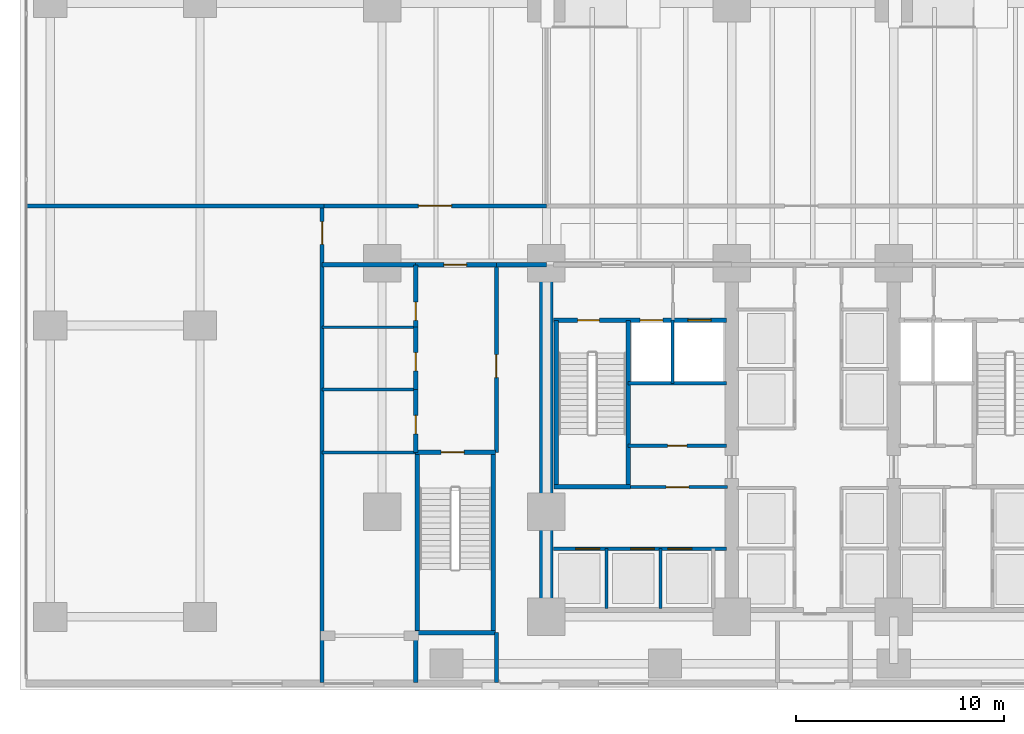
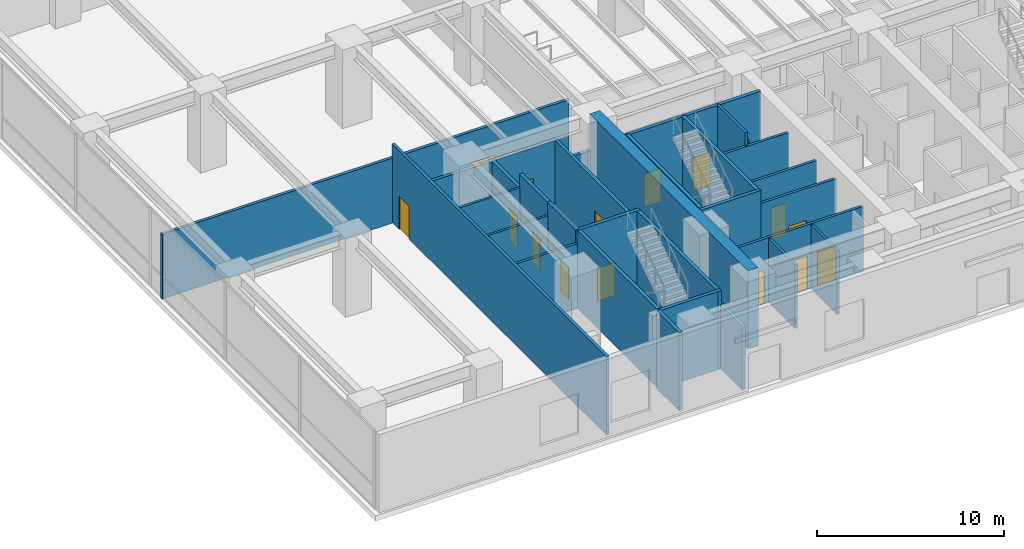
# One storey, part 9 of 19: 31 walls, 16 doors, 16 openings.
"""IFC4 building model written with IfcOpenShell, lengths in metres."""

from ifc_helpers import new_model, si_unit, direction, frame, frame_2d, origin, place, context, subcontext, project, spatial, rectangle, extrude, material, layer, layer_set, type_object, element, fill, save


model = new_model("IFC4")

# Units and contexts
model_context = context("Model", 3, precision=1e-05, world=origin(), true_north=direction((0.0, 1.0)))
body_context = subcontext(model_context, "Body", "Model", "MODEL_VIEW")
ifc_project = project(units=[si_unit("LENGTHUNIT", "METRE"), si_unit("AREAUNIT", "SQUARE_METRE"), si_unit("VOLUMEUNIT", "CUBIC_METRE"), si_unit("PLANEANGLEUNIT", "RADIAN"), si_unit("MASSUNIT", "GRAM", prefix="KILO")], contexts=[model_context])

# Site, building, storey
site_placement = place(None, origin())
site = spatial("IfcSite", under=ifc_project, at=site_placement, CompositionType="ELEMENT")
building_placement = place(site_placement, origin())
building = spatial("IfcBuilding", under=site, at=building_placement, Name="Qalmaran Belvedere Hotel", CompositionType="ELEMENT")
storey_placement = place(building_placement, origin())
storey = spatial("IfcBuildingStorey", under=building, at=storey_placement, Name="L00", CompositionType="ELEMENT", Elevation=0.0)

# Walls
ifc_material_1 = material(Name="Concrete C60/75", Category="concrete")
ifc_layer_1 = layer(ifc_material_1, 0.64990234375, Name="Concrete C60/75")
ifc_layer_set_1 = layer_set([ifc_layer_1], Name="Concrete C60/75")
wall_type_1 = type_object("IfcWallType", Name="WL-CORE-650-C60", PredefinedType="SHEAR", material=ifc_layer_set_1)
wall_1_placement = place(storey_placement, frame((20.300048828125, 3.5, 0.0), z_axis=(0.0, 0.0, 1.0), x_axis=(0.0, 1.0, 0.0)))
element("IfcWall", 1, at=wall_1_placement, inside=storey, type_object=wall_type_1, Name="L00 West Core Shear Wall", PredefinedType="SHEAR", context=body_context, shape_type="SweptSolid", body=[
    extrude(rectangle(XDim=16.89990234375, YDim=0.64990234375, at=frame_2d((8.449951171875, 0.0))), origin(), (0.0, 0.0, 1.0), 5.10009765625),
])
ifc_material_2 = material(Name="Gypsum Stud Partition")
ifc_layer_2 = layer(ifc_material_2, 0.139892578125, Name="Gypsum Stud Partition")
ifc_layer_set_2 = layer_set([ifc_layer_2], Name="Gypsum Stud Partition")
wall_type_2 = type_object("IfcWallType", Name="WL-INT-140-NR", PredefinedType="PARTITIONING", material=ifc_layer_set_2)
for number, where, z_axis, x_axis, name in (
    (2, (9.52001953125, 14.419921875, 0.0), (0.0, 0.0, 1.0), (1.0, 0.0, 0.0), "L00 Partition WL-L00-WC1"),
    (3, (9.52001953125, 17.419921875, 0.0), (0.0, 0.0, 1.0), (1.0, 0.0, 0.0), "L00 Partition WL-L00-WC2"),
):
    element("IfcWall", number, at=place(storey_placement, frame(where, z_axis=z_axis, x_axis=x_axis)), inside=storey, type_object=wall_type_2, Name=name, PredefinedType="PARTITIONING", context=body_context, shape_type="SweptSolid", body=[
        extrude(rectangle(XDim=4.5, YDim=0.139892578125, at=frame_2d((2.25, 0.0))), origin(), (0.0, 0.0, 1.0), 4.22998046875),
    ])
ifc_layer_3 = layer(ifc_material_2, 0.14990234375, Name="Gypsum Stud Partition")
ifc_layer_set_3 = layer_set([ifc_layer_3], Name="Gypsum Stud Partition")
wall_type_3 = type_object("IfcWallType", Name="WL-INT-150-EI120", PredefinedType="PARTITIONING", material=ifc_layer_set_3)
wall_2_placement = place(storey_placement, frame((26.360107421875, 14.719970703125, 0.0), z_axis=(0.0, 0.0, 1.0), x_axis=(0.0, 1.0, 0.0)))
element("IfcWall", 4, at=wall_2_placement, inside=storey, type_object=wall_type_3, Name="L00 Partition WL-FF1M-L00", PredefinedType="PARTITIONING", context=body_context, shape_type="SweptSolid", body=[
    extrude(rectangle(XDim=3.0400390625, YDim=0.14990234375, at=frame_2d((1.52001953125, 0.0))), origin(), (0.0, 0.0, 1.0), 5.10009765625),
])
for number, where, z_axis, x_axis, name in (
    (5, (23.179931640625, 3.89990234375, 0.0), (0.0, 0.0, 1.0), (0.0, 1.0, 0.0), "L00 Partition WL-POM1-L00"),
    (6, (25.780029296875, 3.89990234375, 0.0), (0.0, 0.0, 1.0), (0.0, 1.0, 0.0), "L00 Partition WL-POM2-L00"),
):
    element("IfcWall", number, at=place(storey_placement, frame(where, z_axis=z_axis, x_axis=x_axis)), inside=storey, type_object=wall_type_3, Name=name, PredefinedType="PARTITIONING", context=body_context, shape_type="SweptSolid", body=[
        extrude(rectangle(XDim=2.880126953125, YDim=0.14990234375, at=frame_2d((1.43994140625, 0.0))), origin(), (0.0, 0.0, 1.0), 4.1640625),
    ])
ifc_layer_4 = layer(ifc_material_2, 0.159912109375, Name="Gypsum Stud Partition")
ifc_layer_set_4 = layer_set([ifc_layer_4], Name="Gypsum Stud Partition")
wall_type_4 = type_object("IfcWallType", Name="WL-INT-160-EI120", PredefinedType="PARTITIONING", material=ifc_layer_set_4)
wall_3_placement = place(storey_placement, frame((24.219970703125, 14.719970703125, 0.0), z_axis=(0.0, 0.0, 1.0), x_axis=(1.0, 0.0, 0.0)))
element("IfcWall", 7, at=wall_3_placement, inside=storey, type_object=wall_type_4, Name="L00 Partition WL-FF1S-L00", PredefinedType="PARTITIONING", context=body_context, shape_type="SweptSolid", body=[
    extrude(rectangle(XDim=4.72998046875, YDim=0.159912109375, at=frame_2d((2.364990234375, 0.0))), origin(), (0.0, 0.0, 1.0), 4.22998046875),
])

# Wall, openings, doors
wall_4_placement = place(storey_placement, frame((20.64990234375, 6.780029296875, 0.0), z_axis=(0.0, 0.0, 1.0), x_axis=(1.0, 0.0, 0.0)))
wall_4 = element("IfcWall", 8, at=wall_4_placement, inside=storey, type_object=wall_type_4, Name="L00 Partition WL-POS-L00", PredefinedType="PARTITIONING", context=body_context, shape_type="SweptSolid", body=[
    extrude(rectangle(XDim=8.300048828125, YDim=0.159912109375, at=frame_2d((4.14990234375, 0.0))), origin(), (0.0, 0.0, 1.0), 4.22998046875),
])
opening_1_placement = place(wall_4_placement, frame((3.69482421875, 0.0, 0.0)))
opening_1 = element("IfcOpeningElement", 9, at=opening_1_placement, cuts=wall_4, Name="Opening LD-PO", PredefinedType="OPENING", context=body_context, shape_type="SweptSolid", body=[
    extrude(rectangle(XDim=1.14990234375, YDim=2.199951171875, at=frame_2d((0.574951171875, 1.10009765625))), frame((0.0, 0.08984375, 0.0), z_axis=(0.0, -1.0, 0.0), x_axis=(1.0, 0.0, 0.0)), (0.0, 0.0, 1.0), 0.179931640625),
])
opening_2_placement = place(wall_4_placement, frame((5.4921875, 0.0, 0.0)))
opening_2 = element("IfcOpeningElement", 10, at=opening_2_placement, cuts=wall_4, Name="Opening LD-PO", PredefinedType="OPENING", context=body_context, shape_type="SweptSolid", body=[
    extrude(rectangle(XDim=1.14990234375, YDim=2.199951171875, at=frame_2d((0.574951171875, 1.10009765625))), frame((0.0, 0.08984375, 0.0), z_axis=(0.0, -1.0, 0.0), x_axis=(1.0, 0.0, 0.0)), (0.0, 0.0, 1.0), 0.179931640625),
])
opening_3_placement = place(wall_4_placement, frame((1.058837890625, 0.0, 0.0)))
opening_3 = element("IfcOpeningElement", 11, at=opening_3_placement, cuts=wall_4, Name="Opening LD-PO", PredefinedType="OPENING", context=body_context, shape_type="SweptSolid", body=[
    extrude(rectangle(XDim=1.14990234375, YDim=2.199951171875, at=frame_2d((0.574951171875, 1.10009765625))), frame((0.0, 0.08984375, 0.0), z_axis=(0.0, -1.0, 0.0), x_axis=(1.0, 0.0, 0.0)), (0.0, 0.0, 1.0), 0.179931640625),
])
ifc_material_3 = material(Name="Anodised Bronze Aluminium", Category="aluminium")
door_type_1 = type_object("IfcDoorType", Name="DR-LIFT-PO-1150X2200", OperationType="DOUBLE_DOOR_SLIDING", PredefinedType="DOOR", material=ifc_material_3)
door_1_placement = place(opening_1_placement, origin())
door_1 = element("IfcDoor", 12, at=door_1_placement, inside=storey, type_object=door_type_1, Name="L00 PO1 Shuttle Landing Door", OperationType="DOUBLE_DOOR_SLIDING", OverallHeight=2.199951171875, OverallWidth=1.14990234375, PredefinedType="DOOR", context=body_context, shape_type="SweptSolid", body=[
    extrude(rectangle(XDim=1.14990234375, YDim=2.199951171875, at=frame_2d((0.574951171875, 1.10009765625))), frame((0.0, 0.02490234375, 0.0), z_axis=(0.0, -1.0, 0.0), x_axis=(1.0, 0.0, 0.0)), (0.0, 0.0, 1.0), 0.050048828125),
])
fill(opening_1, door_1)
door_2_placement = place(opening_2_placement, origin())
door_2 = element("IfcDoor", 13, at=door_2_placement, inside=storey, type_object=door_type_1, Name="L00 PO2 Shuttle Landing Door", OperationType="DOUBLE_DOOR_SLIDING", OverallHeight=2.199951171875, OverallWidth=1.14990234375, PredefinedType="DOOR", context=body_context, shape_type="SweptSolid", body=[
    extrude(rectangle(XDim=1.14990234375, YDim=2.199951171875, at=frame_2d((0.574951171875, 1.10009765625))), frame((0.0, 0.02490234375, 0.0), z_axis=(0.0, -1.0, 0.0), x_axis=(1.0, 0.0, 0.0)), (0.0, 0.0, 1.0), 0.050048828125),
])
fill(opening_2, door_2)
door_3_placement = place(opening_3_placement, origin())
door_3 = element("IfcDoor", 14, at=door_3_placement, inside=storey, type_object=door_type_1, Name="L00 PO3 Shuttle Landing Door", OperationType="DOUBLE_DOOR_SLIDING", OverallHeight=2.199951171875, OverallWidth=1.14990234375, PredefinedType="DOOR", context=body_context, shape_type="SweptSolid", body=[
    extrude(rectangle(XDim=1.14990234375, YDim=2.199951171875, at=frame_2d((0.574951171875, 1.10009765625))), frame((0.0, 0.02490234375, 0.0), z_axis=(0.0, -1.0, 0.0), x_axis=(1.0, 0.0, 0.0)), (0.0, 0.0, 1.0), 0.050048828125),
])
fill(opening_3, door_3)

# Wall, opening, door
wall_5_placement = place(storey_placement, frame((24.199951171875, 9.739990234375, 0.0), z_axis=(0.0, 0.0, 1.0), x_axis=(1.0, 0.0, 0.0)))
wall_5 = element("IfcWall", 15, at=wall_5_placement, inside=storey, type_object=wall_type_4, Name="L00 Partition WL-PON-L00", PredefinedType="PARTITIONING", context=body_context, shape_type="SweptSolid", body=[
    extrude(rectangle(XDim=4.800048828125, YDim=0.159912109375, at=frame_2d((2.39990234375, 0.0))), origin(), (0.0, 0.0, 1.0), 4.22998046875),
])
opening_4_placement = place(wall_5_placement, frame((1.85009765625, 0.0, 0.0)))
opening_4 = element("IfcOpeningElement", 16, at=opening_4_placement, cuts=wall_5, Name="Opening FD90", PredefinedType="OPENING", context=body_context, shape_type="SweptSolid", body=[
    extrude(rectangle(XDim=1.10009765625, YDim=2.14990234375, at=frame_2d((0.550048828125, 1.074951171875))), frame((0.0, 0.08984375, 0.0), z_axis=(0.0, -1.0, 0.0), x_axis=(1.0, 0.0, 0.0)), (0.0, 0.0, 1.0), 0.179931640625),
])
ifc_material_4 = material(Name="Steel S355JR", Category="steel")
door_type_2 = type_object("IfcDoorType", Name="DR-FD90-1100X2150", OperationType="NOTDEFINED", PredefinedType="DOOR", material=ifc_material_4)
door_4_placement = place(opening_4_placement, origin())
door_4 = element("IfcDoor", 17, at=door_4_placement, inside=storey, type_object=door_type_2, Name="L00 Shuttle Lobby Passage Door", OperationType="SINGLE_SWING_LEFT", OverallHeight=2.14990234375, OverallWidth=1.10009765625, PredefinedType="DOOR", context=body_context, shape_type="SweptSolid", body=[
    extrude(rectangle(XDim=1.10009765625, YDim=2.14990234375, at=frame_2d((0.550048828125, 1.074951171875))), frame((0.0, 0.02490234375, 0.0), z_axis=(0.0, -1.0, 0.0), x_axis=(1.0, 0.0, 0.0)), (0.0, 0.0, 1.0), 0.050048828125),
])
fill(opening_4, door_4)

ifc_layer_5 = layer(ifc_material_2, 0.159912109375, Name="Gypsum Stud Partition")
ifc_layer_set_5 = layer_set([ifc_layer_5], Name="Gypsum Stud Partition")
wall_type_5 = type_object("IfcWallType", Name="WL-INT-160-EI60", PredefinedType="PARTITIONING", material=ifc_layer_set_5)
wall_6_placement = place(storey_placement, frame((24.219970703125, 11.719970703125, 0.0), z_axis=(0.0, 0.0, 1.0), x_axis=(1.0, 0.0, 0.0)))
wall_6 = element("IfcWall", 18, at=wall_6_placement, inside=storey, type_object=wall_type_5, Name="L00 Partition WL-L00-KWE1", PredefinedType="PARTITIONING", context=body_context, shape_type="SweptSolid", body=[
    extrude(rectangle(XDim=4.72998046875, YDim=0.159912109375, at=frame_2d((2.364990234375, 0.0))), origin(), (0.0, 0.0, 1.0), 4.22998046875),
])
opening_5_placement = place(wall_6_placement, frame((1.905029296875, 0.0, 0.0)))
opening_5 = element("IfcOpeningElement", 19, at=opening_5_placement, cuts=wall_6, Name="Opening FD60S1", PredefinedType="OPENING", context=body_context, shape_type="SweptSolid", body=[
    extrude(rectangle(XDim=0.919921875, YDim=2.080078125, at=frame_2d((0.4599609375, 1.0400390625))), frame((0.0, 0.08984375, 0.0), z_axis=(0.0, -1.0, 0.0), x_axis=(1.0, 0.0, 0.0)), (0.0, 0.0, 1.0), 0.179931640625),
])
ifc_material_5 = material(Name="Engineered Oak Veneer")
door_type_3 = type_object("IfcDoorType", Name="DR-FD60S-920X2080", OperationType="NOTDEFINED", PredefinedType="DOOR", material=ifc_material_5)
door_5_placement = place(opening_5_placement, origin())
door_5 = element("IfcDoor", 20, at=door_5_placement, inside=storey, type_object=door_type_3, Name="L00 Electrical Distribution Room Door", OperationType="SINGLE_SWING_RIGHT", OverallHeight=2.080078125, OverallWidth=0.919921875, PredefinedType="DOOR", context=body_context, shape_type="SweptSolid", body=[
    extrude(rectangle(XDim=0.919921875, YDim=2.080078125, at=frame_2d((0.4599609375, 1.0400390625))), frame((0.0, 0.02490234375, 0.0), z_axis=(0.0, -1.0, 0.0), x_axis=(1.0, 0.0, 0.0)), (0.0, 0.0, 1.0), 0.050048828125),
])
fill(opening_5, door_5)

# Wall
wall_7_placement = place(storey_placement, frame((9.52001953125, 11.39990234375, 0.0), z_axis=(0.0, 0.0, 1.0), x_axis=(1.0, 0.0, 0.0)))
element("IfcWall", 21, at=wall_7_placement, inside=storey, type_object=wall_type_5, Name="L00 Partition WL-L00-WCS", PredefinedType="PARTITIONING", context=body_context, shape_type="SweptSolid", body=[
    extrude(rectangle(XDim=4.5, YDim=0.159912109375, at=frame_2d((2.25, 0.0))), origin(), (0.0, 0.0, 1.0), 4.22998046875),
])

# Wall, opening, door
ifc_layer_6 = layer(ifc_material_2, 0.179931640625, Name="Gypsum Stud Partition")
ifc_layer_set_6 = layer_set([ifc_layer_6], Name="Gypsum Stud Partition")
wall_type_6 = type_object("IfcWallType", Name="WL-INT-180-EI60", PredefinedType="PARTITIONING", material=ifc_layer_set_6)
wall_8_placement = place(storey_placement, frame((9.52001953125, 0.35009765625, 0.0), z_axis=(0.0, 0.0, 1.0), x_axis=(0.0, 1.0, 0.0)))
wall_8 = element("IfcWall", 22, at=wall_8_placement, inside=storey, type_object=wall_type_6, Name="L00 Partition WL-L00-WCW", PredefinedType="PARTITIONING", context=body_context, shape_type="SweptSolid", body=[
    extrude(rectangle(XDim=22.89990234375, YDim=0.179931640625, at=frame_2d((11.449951171875, 0.0))), origin(), (0.0, 0.0, 1.0), 5.10009765625),
])
opening_6_placement = place(wall_8_placement, frame((21.050048828125, 0.0, 0.0)))
opening_6 = element("IfcOpeningElement", 23, at=opening_6_placement, cuts=wall_8, Name="Opening FD90", PredefinedType="OPENING", context=body_context, shape_type="SweptSolid", body=[
    extrude(rectangle(XDim=1.10009765625, YDim=2.14990234375, at=frame_2d((0.550048828125, 1.074951171875))), frame((0.0, 0.10009765625, 0.0), z_axis=(0.0, -1.0, 0.0), x_axis=(1.0, 0.0, 0.0)), (0.0, 0.0, 1.0), 0.199951171875),
])
door_6_placement = place(opening_6_placement, origin())
door_6 = element("IfcDoor", 24, at=door_6_placement, inside=storey, type_object=door_type_2, Name="L00 West Wing Door", OperationType="SINGLE_SWING_RIGHT", OverallHeight=2.14990234375, OverallWidth=1.10009765625, PredefinedType="DOOR", context=body_context, shape_type="SweptSolid", body=[
    extrude(rectangle(XDim=1.10009765625, YDim=2.14990234375, at=frame_2d((0.550048828125, 1.074951171875))), frame((0.0, 0.02490234375, 0.0), z_axis=(0.0, -1.0, 0.0), x_axis=(1.0, 0.0, 0.0)), (0.0, 0.0, 1.0), 0.050048828125),
])
fill(opening_6, door_6)

wall_9_placement = place(storey_placement, frame((9.60009765625, 23.25, 0.0), z_axis=(0.0, 0.0, 1.0), x_axis=(1.0, 0.0, 0.0)))
wall_9 = element("IfcWall", 25, at=wall_9_placement, inside=storey, type_object=wall_type_6, Name="L00 Partition WL-L00-GND1", PredefinedType="PARTITIONING", context=body_context, shape_type="SweptSolid", body=[
    extrude(rectangle(XDim=10.699951171875, YDim=0.179931640625, at=frame_2d((5.35009765625, 0.0))), origin(), (0.0, 0.0, 1.0), 4.22998046875),
])
opening_7_placement = place(wall_9_placement, frame((4.550048828125, 0.0, 0.0)))
opening_7 = element("IfcOpeningElement", 26, at=opening_7_placement, cuts=wall_9, Name="Opening FD60D", PredefinedType="OPENING", context=body_context, shape_type="SweptSolid", body=[
    extrude(rectangle(XDim=1.60009765625, YDim=2.219970703125, at=frame_2d((0.800048828125, 1.10986328125))), frame((0.0, 0.10009765625, 0.0), z_axis=(0.0, -1.0, 0.0), x_axis=(1.0, 0.0, 0.0)), (0.0, 0.0, 1.0), 0.199951171875),
])
door_type_4 = type_object("IfcDoorType", Name="DR-FD60D-1600X2220", OperationType="NOTDEFINED", PredefinedType="DOOR", material=ifc_material_5)
door_7_placement = place(opening_7_placement, origin())
door_7 = element("IfcDoor", 27, at=door_7_placement, inside=storey, type_object=door_type_4, Name="L00 All-Day Brasserie Restaurant Door", OperationType="DOUBLE_DOOR_SINGLE_SWING", OverallHeight=2.219970703125, OverallWidth=1.60009765625, PredefinedType="DOOR", context=body_context, shape_type="SweptSolid", body=[
    extrude(rectangle(XDim=1.60009765625, YDim=2.219970703125, at=frame_2d((0.800048828125, 1.10986328125))), frame((0.0, 0.02490234375, 0.0), z_axis=(0.0, -1.0, 0.0), x_axis=(1.0, 0.0, 0.0)), (0.0, 0.0, 1.0), 0.050048828125),
])
fill(opening_7, door_7)

# Walls
wall_10_placement = place(storey_placement, frame((-4.780029296875, 23.25, 0.0), z_axis=(0.0, 0.0, 1.0), x_axis=(1.0, 0.0, 0.0)))
element("IfcWall", 28, at=wall_10_placement, inside=storey, type_object=wall_type_6, Name="L00 Partition WL-L00-GNW1", PredefinedType="PARTITIONING", context=body_context, shape_type="SweptSolid", body=[
    extrude(rectangle(XDim=14.380126953125, YDim=0.179931640625, at=frame_2d((7.18994140625, 0.0))), origin(), (0.0, 0.0, 1.0), 4.22998046875),
])
ifc_material_6 = material(Name="Concrete C30/37 Blockwork", Category="masonry")
ifc_layer_7 = layer(ifc_material_6, 0.199951171875, Name="Concrete C30/37 Blockwork")
ifc_layer_set_7 = layer_set([ifc_layer_7], Name="Concrete C30/37 Blockwork")
wall_type_7 = type_object("IfcWallType", Name="WL-INT-200-EI120", PredefinedType="PARTITIONING", material=ifc_layer_set_7)
wall_11_placement = place(storey_placement, frame((17.89990234375, 20.419921875, 0.0), z_axis=(0.0, 0.0, 1.0), x_axis=(1.0, 0.0, 0.0)))
element("IfcWall", 29, at=wall_11_placement, inside=storey, type_object=wall_type_7, Name="L00 Partition WL-L00-SFGN", PredefinedType="PARTITIONING", context=body_context, shape_type="SweptSolid", body=[
    extrude(rectangle(XDim=2.400146484375, YDim=0.199951171875, at=frame_2d((1.2001953125, 0.0))), origin(), (0.0, 0.0, 1.0), 2.734619140625),
])

# Wall, opening, door
wall_12_placement = place(storey_placement, frame((14.02001953125, 11.39990234375, 0.0), z_axis=(0.0, 0.0, 1.0), x_axis=(0.0, 1.0, 0.0)))
wall_12 = element("IfcWall", 30, at=wall_12_placement, inside=storey, type_object=wall_type_7, Name="L00 Partition WL-L00-STPWM", PredefinedType="PARTITIONING", context=body_context, shape_type="SweptSolid", body=[
    extrude(rectangle(XDim=3.02001953125, YDim=0.199951171875, at=frame_2d((1.510009765625, 0.0))), origin(), (0.0, 0.0, 1.0), 5.10009765625),
])
opening_8_placement = place(wall_12_placement, frame((0.89990234375, 0.0, 0.0)))
opening_8 = element("IfcOpeningElement", 31, at=opening_8_placement, cuts=wall_12, Name="Opening FD60B", PredefinedType="OPENING", context=body_context, shape_type="SweptSolid", body=[
    extrude(rectangle(XDim=0.8798828125, YDim=2.080078125, at=frame_2d((0.43994140625, 1.0400390625))), frame((0.0, 0.10986328125, 0.0), z_axis=(0.0, -1.0, 0.0), x_axis=(1.0, 0.0, 0.0)), (0.0, 0.0, 1.0), 0.219970703125),
])
door_type_5 = type_object("IfcDoorType", Name="DR-FD60B-880X2080", OperationType="NOTDEFINED", PredefinedType="DOOR", material=ifc_material_4)
door_8_placement = place(opening_8_placement, origin())
door_8 = element("IfcDoor", 32, at=door_8_placement, inside=storey, type_object=door_type_5, Name="L00 Male WC Door", OperationType="SINGLE_SWING_LEFT", OverallHeight=2.080078125, OverallWidth=0.8798828125, PredefinedType="DOOR", context=body_context, shape_type="SweptSolid", body=[
    extrude(rectangle(XDim=0.8798828125, YDim=2.080078125, at=frame_2d((0.43994140625, 1.0400390625))), frame((0.0, 0.02490234375, 0.0), z_axis=(0.0, -1.0, 0.0), x_axis=(1.0, 0.0, 0.0)), (0.0, 0.0, 1.0), 0.050048828125),
])
fill(opening_8, door_8)

wall_13_placement = place(storey_placement, frame((14.02001953125, 14.419921875, 0.0), z_axis=(0.0, 0.0, 1.0), x_axis=(0.0, 1.0, 0.0)))
wall_13 = element("IfcWall", 33, at=wall_13_placement, inside=storey, type_object=wall_type_7, Name="L00 Partition WL-L00-STPWF", PredefinedType="PARTITIONING", context=body_context, shape_type="SweptSolid", body=[
    extrude(rectangle(XDim=3.0, YDim=0.199951171875, at=frame_2d((1.5, 0.0))), origin(), (0.0, 0.0, 1.0), 5.10009765625),
])
opening_9_placement = place(wall_13_placement, frame((0.89990234375, 0.0, 0.0)))
opening_9 = element("IfcOpeningElement", 34, at=opening_9_placement, cuts=wall_13, Name="Opening FD60B", PredefinedType="OPENING", context=body_context, shape_type="SweptSolid", body=[
    extrude(rectangle(XDim=0.8798828125, YDim=2.080078125, at=frame_2d((0.43994140625, 1.0400390625))), frame((0.0, 0.10986328125, 0.0), z_axis=(0.0, -1.0, 0.0), x_axis=(1.0, 0.0, 0.0)), (0.0, 0.0, 1.0), 0.219970703125),
])
door_9_placement = place(opening_9_placement, origin())
door_9 = element("IfcDoor", 35, at=door_9_placement, inside=storey, type_object=door_type_5, Name="L00 Female WC Door", OperationType="SINGLE_SWING_RIGHT", OverallHeight=2.080078125, OverallWidth=0.8798828125, PredefinedType="DOOR", context=body_context, shape_type="SweptSolid", body=[
    extrude(rectangle(XDim=0.8798828125, YDim=2.080078125, at=frame_2d((0.43994140625, 1.0400390625))), frame((0.0, 0.02490234375, 0.0), z_axis=(0.0, -1.0, 0.0), x_axis=(1.0, 0.0, 0.0)), (0.0, 0.0, 1.0), 0.050048828125),
])
fill(opening_9, door_9)

wall_14_placement = place(storey_placement, frame((14.02001953125, 17.419921875, 0.0), z_axis=(0.0, 0.0, 1.0), x_axis=(0.0, 1.0, 0.0)))
wall_14 = element("IfcWall", 36, at=wall_14_placement, inside=storey, type_object=wall_type_7, Name="L00 Partition WL-L00-STPWA", PredefinedType="PARTITIONING", context=body_context, shape_type="SweptSolid", body=[
    extrude(rectangle(XDim=3.0, YDim=0.199951171875, at=frame_2d((1.5, 0.0))), origin(), (0.0, 0.0, 1.0), 4.1640625),
])
opening_10_placement = place(wall_14_placement, frame((0.33203125, 0.0, 0.0)))
opening_10 = element("IfcOpeningElement", 37, at=opening_10_placement, cuts=wall_14, Name="Opening FD60B", PredefinedType="OPENING", context=body_context, shape_type="SweptSolid", body=[
    extrude(rectangle(XDim=0.8798828125, YDim=2.080078125, at=frame_2d((0.43994140625, 1.0400390625))), frame((0.0, 0.10986328125, 0.0), z_axis=(0.0, -1.0, 0.0), x_axis=(1.0, 0.0, 0.0)), (0.0, 0.0, 1.0), 0.219970703125),
])
door_10_placement = place(opening_10_placement, origin())
door_10 = element("IfcDoor", 38, at=door_10_placement, inside=storey, type_object=door_type_5, Name="L00 Accessible WC Door", OperationType="SINGLE_SWING_LEFT", OverallHeight=2.080078125, OverallWidth=0.8798828125, PredefinedType="DOOR", context=body_context, shape_type="SweptSolid", body=[
    extrude(rectangle(XDim=0.8798828125, YDim=2.080078125, at=frame_2d((0.43994140625, 1.0400390625))), frame((0.0, 0.02490234375, 0.0), z_axis=(0.0, -1.0, 0.0), x_axis=(1.0, 0.0, 0.0)), (0.0, 0.0, 1.0), 0.050048828125),
])
fill(opening_10, door_10)

# Wall
wall_15_placement = place(storey_placement, frame((14.02001953125, 0.35009765625, 0.0), z_axis=(0.0, 0.0, 1.0), x_axis=(0.0, 1.0, 0.0)))
element("IfcWall", 39, at=wall_15_placement, inside=storey, type_object=wall_type_7, Name="L00 Partition WL-L00-STPWS", PredefinedType="PARTITIONING", context=body_context, shape_type="SweptSolid", body=[
    extrude(rectangle(XDim=2.39990234375, YDim=0.199951171875, at=frame_2d((1.199951171875, 0.0))), origin(), (0.0, 0.0, 1.0), 5.10009765625),
])

# Wall, opening, door
wall_16_placement = place(storey_placement, frame((17.89990234375, 11.39990234375, 0.0), z_axis=(0.0, 0.0, 1.0), x_axis=(0.0, 1.0, 0.0)))
wall_16 = element("IfcWall", 40, at=wall_16_placement, inside=storey, type_object=wall_type_7, Name="L00 Partition WL-L00-STPW2", PredefinedType="PARTITIONING", context=body_context, shape_type="SweptSolid", body=[
    extrude(rectangle(XDim=9.02001953125, YDim=0.199951171875, at=frame_2d((4.510009765625, 0.0))), origin(), (0.0, 0.0, 1.0), 4.1640625),
])
opening_11_placement = place(wall_16_placement, frame((4.7001953125, 0.0, 0.0), z_axis=(0.0, 0.0, 1.0), x_axis=(-1.0, 0.0, 0.0)))
opening_11 = element("IfcOpeningElement", 41, at=opening_11_placement, cuts=wall_16, Name="Opening FD90", PredefinedType="OPENING", context=body_context, shape_type="SweptSolid", body=[
    extrude(rectangle(XDim=1.10009765625, YDim=2.14990234375, at=frame_2d((0.550048828125, 1.074951171875))), frame((0.0, 0.10986328125, 0.0), z_axis=(0.0, -1.0, 0.0), x_axis=(1.0, 0.0, 0.0)), (0.0, 0.0, 1.0), 0.219970703125),
])
door_11_placement = place(opening_11_placement, origin())
door_11 = element("IfcDoor", 42, at=door_11_placement, inside=storey, type_object=door_type_2, Name="L00 West Protected Exit Passageway Door", OperationType="SINGLE_SWING_RIGHT", OverallHeight=2.14990234375, OverallWidth=1.10009765625, PredefinedType="DOOR", context=body_context, shape_type="SweptSolid", body=[
    extrude(rectangle(XDim=1.10009765625, YDim=2.14990234375, at=frame_2d((0.550048828125, 1.074951171875))), frame((0.0, 0.02490234375, 0.0), z_axis=(0.0, -1.0, 0.0), x_axis=(1.0, 0.0, 0.0)), (0.0, 0.0, 1.0), 0.050048828125),
])
fill(opening_11, door_11)

# Walls
wall_17_placement = place(storey_placement, frame((17.89990234375, 0.35009765625, 0.0), z_axis=(0.0, 0.0, 1.0), x_axis=(0.0, 1.0, 0.0)))
element("IfcWall", 43, at=wall_17_placement, inside=storey, type_object=wall_type_7, Name="L00 Partition WL-L00-STPW2S", PredefinedType="PARTITIONING", context=body_context, shape_type="SweptSolid", body=[
    extrude(rectangle(XDim=2.39990234375, YDim=0.199951171875, at=frame_2d((1.199951171875, 0.0))), origin(), (0.0, 0.0, 1.0), 4.1640625),
])
wall_18_placement = place(storey_placement, frame((9.52001953125, 20.419921875, 0.0), z_axis=(0.0, 0.0, 1.0), x_axis=(1.0, 0.0, 0.0)))
element("IfcWall", 44, at=wall_18_placement, inside=storey, type_object=wall_type_7, Name="L00 Partition WL-L00-CSW1", PredefinedType="PARTITIONING", context=body_context, shape_type="SweptSolid", body=[
    extrude(rectangle(XDim=4.5, YDim=0.199951171875, at=frame_2d((2.25, 0.0))), origin(), (0.0, 0.0, 1.0), 4.1640625),
])

# Wall, opening, door
wall_19_placement = place(storey_placement, frame((14.02001953125, 20.419921875, 0.0), z_axis=(0.0, 0.0, 1.0), x_axis=(1.0, 0.0, 0.0)))
wall_19 = element("IfcWall", 45, at=wall_19_placement, inside=storey, type_object=wall_type_7, Name="L00 Partition WL-L00-CSW2", PredefinedType="PARTITIONING", context=body_context, shape_type="SweptSolid", body=[
    extrude(rectangle(XDim=3.8798828125, YDim=0.199951171875, at=frame_2d((1.93994140625, 0.0))), origin(), (0.0, 0.0, 1.0), 4.1640625),
])
opening_12_placement = place(wall_19_placement, frame((1.35009765625, 0.0, 0.0)))
opening_12 = element("IfcOpeningElement", 46, at=opening_12_placement, cuts=wall_19, Name="Opening FD90", PredefinedType="OPENING", context=body_context, shape_type="SweptSolid", body=[
    extrude(rectangle(XDim=1.10009765625, YDim=2.14990234375, at=frame_2d((0.550048828125, 1.074951171875))), frame((0.0, 0.10986328125, 0.0), z_axis=(0.0, -1.0, 0.0), x_axis=(1.0, 0.0, 0.0)), (0.0, 0.0, 1.0), 0.219970703125),
])
door_12_placement = place(opening_12_placement, origin())
door_12 = element("IfcDoor", 47, at=door_12_placement, inside=storey, type_object=door_type_2, Name="L00 West Stair Corridor Door", OperationType="SINGLE_SWING_LEFT", OverallHeight=2.14990234375, OverallWidth=1.10009765625, PredefinedType="DOOR", context=body_context, shape_type="SweptSolid", body=[
    extrude(rectangle(XDim=1.10009765625, YDim=2.14990234375, at=frame_2d((0.550048828125, 1.074951171875))), frame((0.0, 0.02490234375, 0.0), z_axis=(0.0, -1.0, 0.0), x_axis=(1.0, 0.0, 0.0)), (0.0, 0.0, 1.0), 0.050048828125),
])
fill(opening_12, door_12)

# Walls
ifc_material_7 = material(Name="Concrete C50/60", Category="concrete")
ifc_layer_8 = layer(ifc_material_7, 0.2099609375, Name="Concrete C50/60")
ifc_layer_set_8 = layer_set([ifc_layer_8], Name="Concrete C50/60")
wall_type_8 = type_object("IfcWallType", Name="WL-STAIR-210-C50", PredefinedType="SHEAR", material=ifc_layer_set_8)
for number, where, z_axis, x_axis, name in (
    (48, (20.77490234375, 9.7451171875, 0.0), (0.0, 0.0, 1.0), (0.0, 1.0, 0.0), "L00 Stair ST-1 West Bearing Wall"),
    (49, (24.22509765625, 9.7451171875, 0.0), (0.0, 0.0, 1.0), (0.0, 1.0, 0.0), "L00 Stair ST-1 East Bearing Wall"),
):
    element("IfcWall", number, at=place(storey_placement, frame(where, z_axis=z_axis, x_axis=x_axis)), inside=storey, type_object=wall_type_8, Name=name, PredefinedType="SHEAR", context=body_context, shape_type="SweptSolid", body=[
        extrude(rectangle(XDim=8.009765625, YDim=0.2099609375, at=frame_2d((4.0048828125, 0.0))), origin(), (0.0, 0.0, 1.0), 5.10009765625),
    ])
wall_20_placement = place(storey_placement, frame((20.669921875, 9.7451171875, 0.0), z_axis=(0.0, 0.0, 1.0), x_axis=(1.0, 0.0, 0.0)))
element("IfcWall", 50, at=wall_20_placement, inside=storey, type_object=wall_type_8, Name="L00 Stair ST-1 South Bearing Wall", PredefinedType="SHEAR", context=body_context, shape_type="SweptSolid", body=[
    extrude(rectangle(XDim=3.66015625, YDim=0.2099609375, at=frame_2d((1.830078125, 0.0))), origin(), (0.0, 0.0, 1.0), 5.10009765625),
])

# Wall, openings, doors
wall_21_placement = place(storey_placement, frame((20.64990234375, 17.7548828125, 0.0), z_axis=(0.0, 0.0, 1.0), x_axis=(1.0, 0.0, 0.0)))
wall_21 = element("IfcWall", 51, at=wall_21_placement, inside=storey, type_object=wall_type_8, Name="L00 West Lobby and Stair ST-1 North Bearing Wall", PredefinedType="SHEAR", context=body_context, shape_type="SweptSolid", body=[
    extrude(rectangle(XDim=8.300048828125, YDim=0.2099609375, at=frame_2d((4.14990234375, 0.0))), origin(), (0.0, 0.0, 1.0), 5.10009765625),
])
opening_13_placement = place(wall_21_placement, frame((1.14990234375, 0.0, 0.0)))
opening_13 = element("IfcOpeningElement", 52, at=opening_13_placement, cuts=wall_21, Name="Opening FD90S2", PredefinedType="OPENING", context=body_context, shape_type="SweptSolid", body=[
    extrude(rectangle(XDim=1.050048828125, YDim=2.14990234375, at=frame_2d((0.52490234375, 1.074951171875))), frame((0.0, 0.114990234375, 0.0), z_axis=(0.0, -1.0, 0.0), x_axis=(1.0, 0.0, 0.0)), (0.0, 0.0, 1.0), 0.22998046875),
])
opening_14_placement = place(wall_21_placement, frame((4.14990234375, 0.0, 0.0)))
opening_14 = element("IfcOpeningElement", 53, at=opening_14_placement, cuts=wall_21, Name="Opening LD-FF", PredefinedType="OPENING", context=body_context, shape_type="SweptSolid", body=[
    extrude(rectangle(XDim=1.10009765625, YDim=2.179931640625, at=frame_2d((0.550048828125, 1.08984375))), frame((0.0, 0.114990234375, 0.0), z_axis=(0.0, -1.0, 0.0), x_axis=(1.0, 0.0, 0.0)), (0.0, 0.0, 1.0), 0.22998046875),
])
opening_15_placement = place(wall_21_placement, frame((6.449951171875, 0.0, 0.0)))
opening_15 = element("IfcOpeningElement", 54, at=opening_15_placement, cuts=wall_21, Name="Opening LD-SV", PredefinedType="OPENING", context=body_context, shape_type="SweptSolid", body=[
    extrude(rectangle(XDim=1.1201171875, YDim=2.199951171875, at=frame_2d((0.56005859375, 1.10009765625))), frame((0.0, 0.114990234375, 0.0), z_axis=(0.0, -1.0, 0.0), x_axis=(1.0, 0.0, 0.0)), (0.0, 0.0, 1.0), 0.22998046875),
])
door_type_6 = type_object("IfcDoorType", Name="DR-FD90S-1050X2150", OperationType="NOTDEFINED", PredefinedType="DOOR", material=ifc_material_4)
door_13_placement = place(opening_13_placement, origin())
door_13 = element("IfcDoor", 55, at=door_13_placement, inside=storey, type_object=door_type_6, Name="L00 Stair ST-1 Door", OperationType="SINGLE_SWING_RIGHT", OverallHeight=2.14990234375, OverallWidth=1.050048828125, PredefinedType="DOOR", context=body_context, shape_type="SweptSolid", body=[
    extrude(rectangle(XDim=1.050048828125, YDim=2.14990234375, at=frame_2d((0.52490234375, 1.074951171875))), frame((0.0, 0.02490234375, 0.0), z_axis=(0.0, -1.0, 0.0), x_axis=(1.0, 0.0, 0.0)), (0.0, 0.0, 1.0), 0.050048828125),
])
fill(opening_13, door_13)
ifc_material_8 = material(Name="Stainless Steel 1.4401", Category="steel")
door_type_7 = type_object("IfcDoorType", Name="DR-LIFT-FF-1100X2180", OperationType="DOUBLE_DOOR_SLIDING", PredefinedType="DOOR", material=ifc_material_8)
door_14_placement = place(opening_14_placement, origin())
door_14 = element("IfcDoor", 56, at=door_14_placement, inside=storey, type_object=door_type_7, Name="L00 FF1 Lift Landing Door", OperationType="DOUBLE_DOOR_SLIDING", OverallHeight=2.179931640625, OverallWidth=1.10009765625, PredefinedType="DOOR", context=body_context, shape_type="SweptSolid", body=[
    extrude(rectangle(XDim=1.10009765625, YDim=2.179931640625, at=frame_2d((0.550048828125, 1.08984375))), frame((0.0, 0.02490234375, 0.0), z_axis=(0.0, -1.0, 0.0), x_axis=(1.0, 0.0, 0.0)), (0.0, 0.0, 1.0), 0.050048828125),
])
fill(opening_14, door_14)
door_type_8 = type_object("IfcDoorType", Name="DR-LIFT-SV-1120X2200", OperationType="DOUBLE_DOOR_SLIDING", PredefinedType="DOOR", material=ifc_material_8)
door_15_placement = place(opening_15_placement, origin())
door_15 = element("IfcDoor", 57, at=door_15_placement, inside=storey, type_object=door_type_8, Name="L00 SV1 Lift Landing Door", OperationType="DOUBLE_DOOR_SLIDING", OverallHeight=2.199951171875, OverallWidth=1.1201171875, PredefinedType="DOOR", context=body_context, shape_type="SweptSolid", body=[
    extrude(rectangle(XDim=1.1201171875, YDim=2.199951171875, at=frame_2d((0.56005859375, 1.10009765625))), frame((0.0, 0.02490234375, 0.0), z_axis=(0.0, -1.0, 0.0), x_axis=(1.0, 0.0, 0.0)), (0.0, 0.0, 1.0), 0.050048828125),
])
fill(opening_15, door_15)

# Walls
for number, where, z_axis, x_axis, name in (
    (58, (14.094970703125, 2.639892578125, 0.0), (0.0, 0.0, 1.0), (0.0, 1.0, 0.0), "L00 Podium Stair STP1 West Bearing Wall"),
    (59, (17.7451171875, 2.639892578125, 0.0), (0.0, 0.0, 1.0), (0.0, 1.0, 0.0), "L00 Podium Stair STP1 East Bearing Wall"),
):
    element("IfcWall", number, at=place(storey_placement, frame(where, z_axis=z_axis, x_axis=x_axis)), inside=storey, type_object=wall_type_8, Name=name, PredefinedType="SHEAR", context=body_context, shape_type="SweptSolid", body=[
        extrude(rectangle(XDim=8.8701171875, YDim=0.2099609375, at=frame_2d((4.43505859375, 0.0))), origin(), (0.0, 0.0, 1.0), 5.10009765625),
    ])
wall_22_placement = place(storey_placement, frame((13.989990234375, 2.7451171875, 0.0), z_axis=(0.0, 0.0, 1.0), x_axis=(1.0, 0.0, 0.0)))
element("IfcWall", 60, at=wall_22_placement, inside=storey, type_object=wall_type_8, Name="L00 Podium Stair STP1 South Bearing Wall", PredefinedType="SHEAR", context=body_context, shape_type="SweptSolid", body=[
    extrude(rectangle(XDim=3.860107421875, YDim=0.2099609375, at=frame_2d((1.93017578125, 0.0))), origin(), (0.0, 0.0, 1.0), 5.10009765625),
])

# Wall, opening, door
wall_23_placement = place(storey_placement, frame((13.989990234375, 11.405029296875, 0.0), z_axis=(0.0, 0.0, 1.0), x_axis=(1.0, 0.0, 0.0)))
wall_23 = element("IfcWall", 61, at=wall_23_placement, inside=storey, type_object=wall_type_8, Name="L00 Podium Stair STP1 North Bearing Wall", PredefinedType="SHEAR", context=body_context, shape_type="SweptSolid", body=[
    extrude(rectangle(XDim=3.860107421875, YDim=0.2099609375, at=frame_2d((1.93017578125, 0.0))), origin(), (0.0, 0.0, 1.0), 5.10009765625),
])
opening_16_placement = place(wall_23_placement, frame((1.25, 0.0, 0.0)))
opening_16 = element("IfcOpeningElement", 62, at=opening_16_placement, cuts=wall_23, Name="Opening FD90", PredefinedType="OPENING", context=body_context, shape_type="SweptSolid", body=[
    extrude(rectangle(XDim=1.10009765625, YDim=2.14990234375, at=frame_2d((0.550048828125, 1.074951171875))), frame((0.0, 0.114990234375, 0.0), z_axis=(0.0, -1.0, 0.0), x_axis=(1.0, 0.0, 0.0)), (0.0, 0.0, 1.0), 0.22998046875),
])
door_16_placement = place(opening_16_placement, origin())
door_16 = element("IfcDoor", 63, at=door_16_placement, inside=storey, type_object=door_type_2, Name="L00 Stair ST-P1 Door", OperationType="SINGLE_SWING_RIGHT", OverallHeight=2.14990234375, OverallWidth=1.10009765625, PredefinedType="DOOR", context=body_context, shape_type="SweptSolid", body=[
    extrude(rectangle(XDim=1.10009765625, YDim=2.14990234375, at=frame_2d((0.550048828125, 1.074951171875))), frame((0.0, 0.02490234375, 0.0), z_axis=(0.0, -1.0, 0.0), x_axis=(1.0, 0.0, 0.0)), (0.0, 0.0, 1.0), 0.050048828125),
])
fill(opening_16, door_16)

save(model, "model.ifc")
